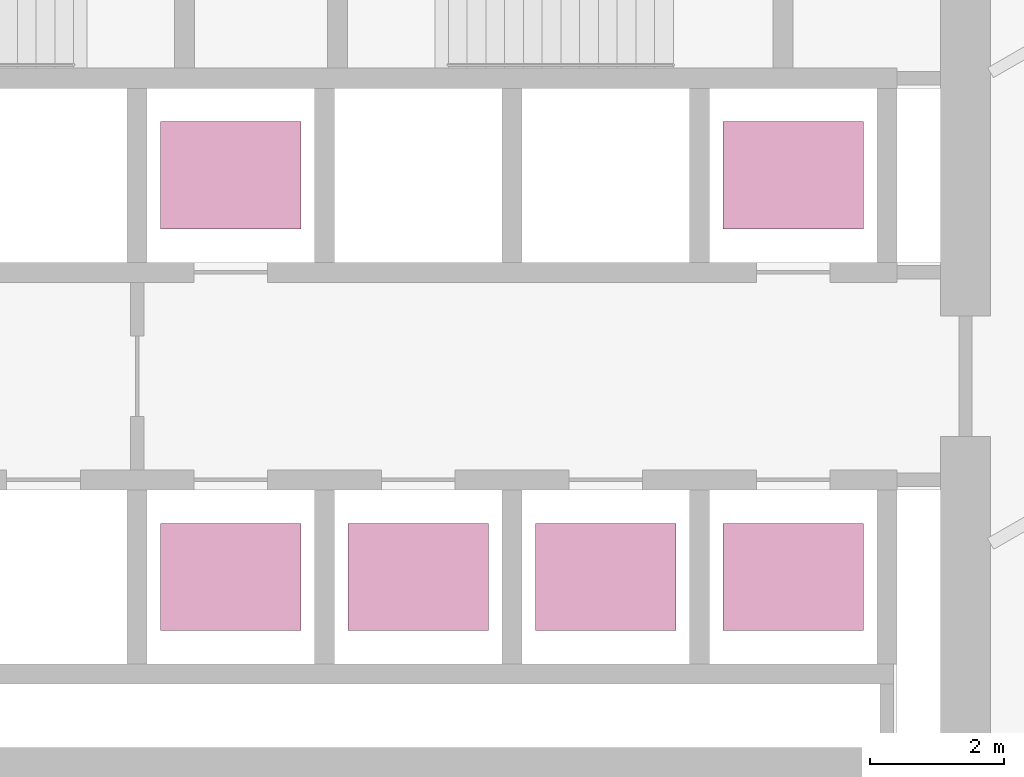
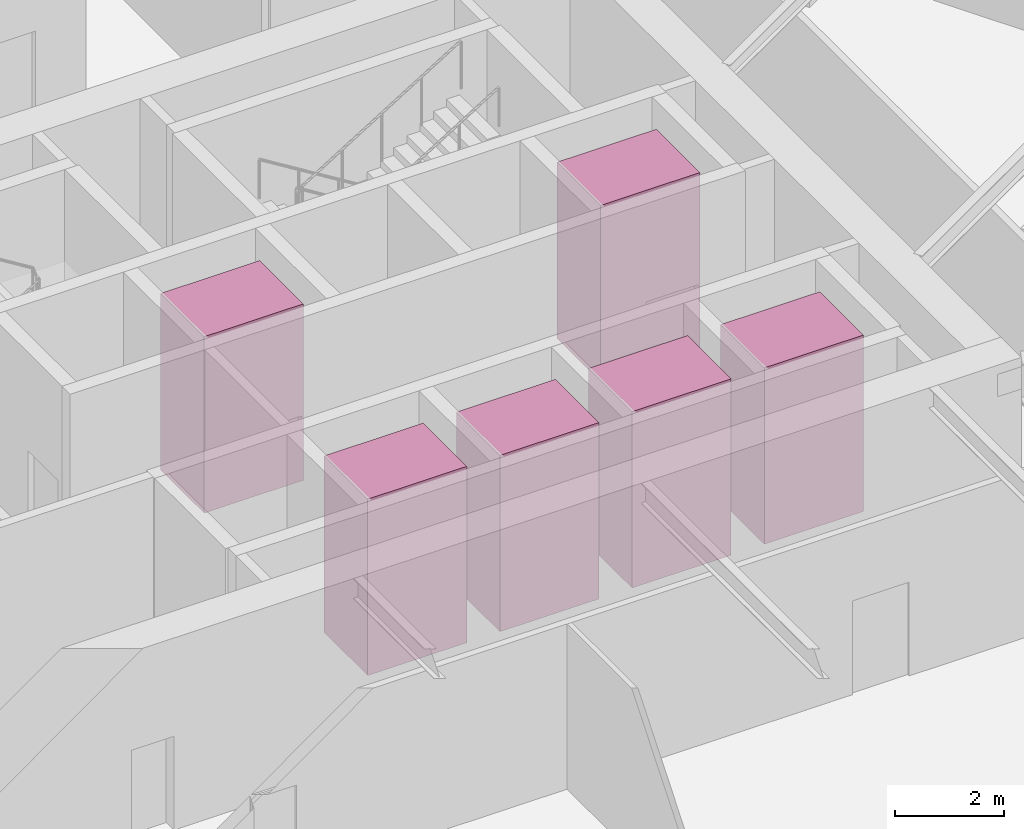
# One storey, part 14 of 14: 6 transport elements.
"""IFC4 building model written with IfcOpenShell, lengths in metres."""

from ifc_helpers import new_model, si_unit, direction, frame, origin, origin_2d, place, context, subcontext, project, spatial, rectangle, extrude, material, type_object, element, save


model = new_model("IFC4")

# Units and contexts
model_context = context("Model", 3, precision=1e-05, world=origin(), true_north=direction((0.0, 1.0)))
body_context = subcontext(model_context, "Body", "Model", "MODEL_VIEW")
ifc_project = project(units=[si_unit("LENGTHUNIT", "METRE"), si_unit("AREAUNIT", "SQUARE_METRE"), si_unit("VOLUMEUNIT", "CUBIC_METRE"), si_unit("PLANEANGLEUNIT", "RADIAN"), si_unit("MASSUNIT", "GRAM", prefix="KILO")], contexts=[model_context])

# Site, building, storey
site_placement = place(None, origin())
site = spatial("IfcSite", under=ifc_project, at=site_placement, CompositionType="ELEMENT")
building_placement = place(site_placement, origin())
building = spatial("IfcBuilding", under=site, at=building_placement, Name="Firuza Gate Tower and Library", CompositionType="ELEMENT")
storey_placement = place(building_placement, frame((0.0, 0.0, 151.300048828125)))
storey = spatial("IfcBuildingStorey", under=building, at=storey_placement, Name="L34", CompositionType="ELEMENT", Elevation=151.300048828125)

# Transport elements
ifc_material = material(Name="Stainless steel and glass", Category="steel")
transport_element_type = type_object("IfcTransportElementType", Name="Mid-rise lift car 2100x1600", PredefinedType="ELEVATOR", material=ifc_material)
for number, where, z_axis, x_axis, name in (
    (1, (74.64990234375, 70.300048828125, 0.0), (0.0, 0.0, 1.0), (1.0, 0.0, 0.0), "Mid-rise lift MR1"),
    (2, (77.449951171875, 70.300048828125, 0.0), (0.0, 0.0, 1.0), (1.0, 0.0, 0.0), "Mid-rise lift MR2"),
    (3, (80.25, 70.300048828125, 0.0), (0.0, 0.0, 1.0), (1.0, 0.0, 0.0), "Mid-rise lift MR3"),
    (4, (74.64990234375, 76.300048828125, 0.0), (0.0, 0.0, 1.0), (1.0, 0.0, 0.0), "Mid-rise lift MR4"),
    (5, (83.050048828125, 70.300048828125, 0.0), (0.0, 0.0, 1.0), (1.0, 0.0, 0.0), "Mid-rise lift MR5"),
    (6, (83.050048828125, 76.300048828125, 0.0), (0.0, 0.0, 1.0), (1.0, 0.0, 0.0), "Mid-rise lift MR6"),
):
    element("IfcTransportElement", number, at=place(storey_placement, frame(where, z_axis=z_axis, x_axis=x_axis)), inside=storey, type_object=transport_element_type, Name=name, PredefinedType="ELEVATOR", context=body_context, shape_type="SweptSolid", body=[
        extrude(rectangle(XDim=2.10009765625, YDim=1.60009765625, at=origin_2d()), origin(), (0.0, 0.0, 1.0), 3.949951171875),
    ])

save(model, "model.ifc")
